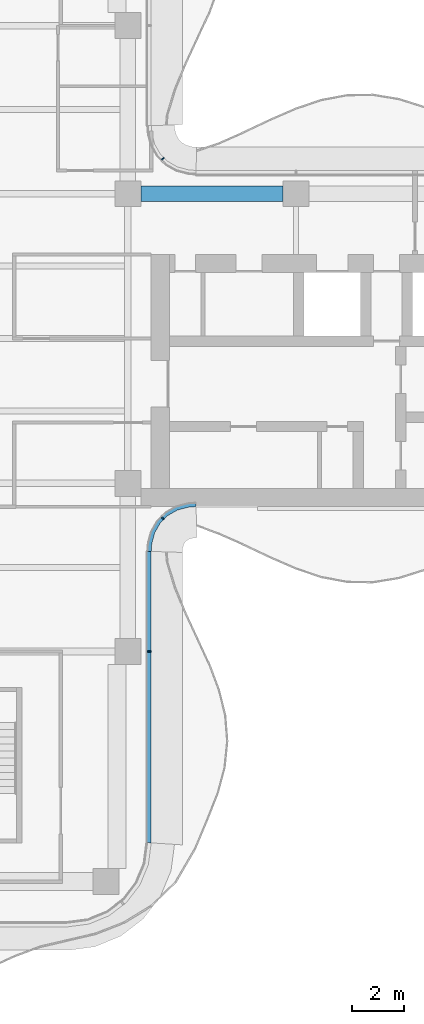
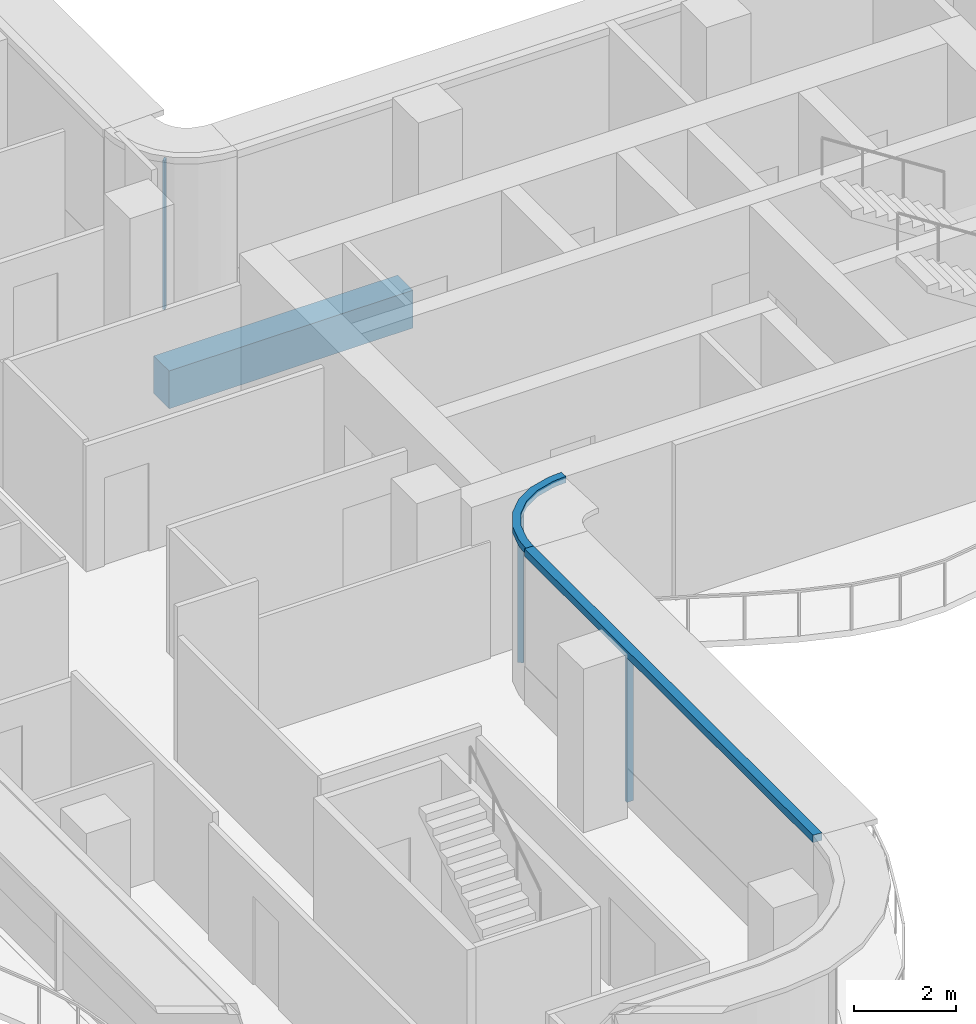
# One storey, part 5 of 15: 5 members, 1 beam, 3 elements without a shape of their own.
"""IFC4 building model written with IfcOpenShell, lengths in metres."""

from ifc_helpers import new_model, si_unit, direction, frame, origin, origin_2d, place, context, subcontext, project, spatial, polyline, rectangle, outline, extrude, source, transform, mapped, material, layer, layer_set, material_profile, profile_set, type_object, element, aggregate, save


model = new_model("IFC4")

# Units and contexts
model_context = context("Model", 3, precision=1e-05, world=origin(), true_north=direction((0.0, 1.0)))
body_context = subcontext(model_context, "Body", "Model", "MODEL_VIEW")
ifc_project = project(units=[si_unit("LENGTHUNIT", "METRE"), si_unit("AREAUNIT", "SQUARE_METRE"), si_unit("VOLUMEUNIT", "CUBIC_METRE"), si_unit("PLANEANGLEUNIT", "RADIAN"), si_unit("MASSUNIT", "GRAM", prefix="KILO")], contexts=[model_context])

# Site, building, storey
site_placement = place(None, origin())
site = spatial("IfcSite", under=ifc_project, at=site_placement, CompositionType="ELEMENT")
building_placement = place(site_placement, origin())
building = spatial("IfcBuilding", under=site, at=building_placement, Name="Trellis Farm Tower", CompositionType="ELEMENT")
storey_placement = place(building_placement, frame((0.0, 0.0, 287.199951171875)))
storey = spatial("IfcBuildingStorey", under=building, at=storey_placement, Name="L64", CompositionType="ELEMENT", Elevation=287.199951171875)

# Beam
ifc_material_1 = material(Name="Concrete C60/75", Category="concrete")
ifc_material_profile_1 = material_profile(ifc_material_1, rectangle(XDim=0.60009765625, YDim=0.89990234375, at=origin_2d()), Name="RC spandrel beam 600x900 C60/75")
ifc_profile_set_1 = profile_set([ifc_material_profile_1], Name="Concrete C60/75")
beam_type = type_object("IfcBeamType", Name="RC spandrel beam 600x900 C60/75", PredefinedType="SPANDREL", material=ifc_profile_set_1)
shared_shape_1 = source(origin(), body_context, "Body", "SweptSolid", [
    extrude(rectangle(XDim=0.60009765625, YDim=0.89990234375, at=origin_2d()), origin(), (0.0, 0.0, 1.0), 5.5),
])
beam_placement = place(storey_placement, frame((6.10009765625, 5.60009765625, -0.64990234375), z_axis=(1.0, 0.0, 0.0), x_axis=(0.0, 1.0, 0.0)))
element("IfcBeam", 1, at=beam_placement, inside=storey, type_object=beam_type, Name="Girder", PredefinedType="SPANDREL", context=body_context, shape_type="MappedRepresentation", body=[
    mapped(shared_shape_1, transform((0.0, 0.0, 0.0))),
])

# Curtain wall, member
ifc_material_2 = material(Name="Aluminium and glass curtain wall", Category="aluminium")
ifc_layer_1 = layer(ifc_material_2, 0.166015625)
ifc_layer_set_1 = layer_set([ifc_layer_1], Name="WINTER GARDEN CURTAIN WALL CW3")
curtain_wall_type_1 = type_object("IfcCurtainWallType", Name="WINTER GARDEN CURTAIN WALL CW3", PredefinedType="NOTDEFINED", material=ifc_layer_set_1)
placement = place(storey_placement, origin())
curtain_wall_1 = element("IfcCurtainWall", 2, at=placement, inside=storey, type_object=curtain_wall_type_1, Name="CW3 002", PredefinedType="NOTDEFINED")
ifc_material_3 = material(Name="Aluminium extrusion 6063-T6", Category="aluminium")
ifc_layer_2 = layer(ifc_material_3, 0.169921875)
ifc_layer_set_2 = layer_set([ifc_layer_2], Name="Aluminium extrusion 6063-T6")
member_type_1 = type_object("IfcMemberType", Name="CW3 TRANSOM 170x150", PredefinedType="USERDEFINED", material=ifc_layer_set_2)
shared_shape_2 = source(origin(), body_context, "Body", "SweptSolid", [
    extrude(outline(polyline([(6.5, -8.2314453125), (6.513916015625, -8.01953125), (6.527587890625, -7.91552734375), (6.63671875, -7.508544921875), (6.846923828125, -7.144287109375), (7.144287109375, -6.846923828125), (7.508544921875, -6.63671875), (7.91552734375, -6.527587890625), (8.01953125, -6.513916015625), (8.2314453125, -6.5), (8.225830078125, -6.330078125), (8.0029296875, -6.3447265625), (7.88232421875, -6.360595703125), (7.44287109375, -6.478271484375), (7.0400390625, -6.7109375), (6.7109375, -7.0400390625), (6.478271484375, -7.44287109375), (6.360595703125, -7.88232421875), (6.3447265625, -8.0029296875), (6.330078125, -8.225830078125), (6.5, -8.2314453125)])), origin(), (0.0, 0.0, 1.0), 0.14990234375),
])
member_1_placement = place(storey_placement, frame((0.0, 0.0, 3.550048828125)))
member_1 = element("IfcMember", 3, at=member_1_placement, type_object=member_type_1, Name="TR3 002", ObjectType="TRANSOM", PredefinedType="USERDEFINED", context=body_context, shape_type="MappedRepresentation", body=[
    mapped(shared_shape_2, transform((0.0, 0.0, 0.0))),
])

ifc_layer_3 = layer(ifc_material_2, 0.18994140625)
ifc_layer_set_3 = layer_set([ifc_layer_3], Name="RIBBON CURTAIN WALL CW1")
curtain_wall_type_2 = type_object("IfcCurtainWallType", Name="RIBBON CURTAIN WALL CW1", PredefinedType="NOTDEFINED", material=ifc_layer_set_3)
curtain_wall_2 = element("IfcCurtainWall", 4, at=placement, inside=storey, type_object=curtain_wall_type_2, Name="CW1 004", PredefinedType="NOTDEFINED")
ifc_material_profile_2 = material_profile(ifc_material_3, rectangle(XDim=0.06005859375, YDim=0.14990234375, at=origin_2d()), Name="MULLION 60x150")
ifc_profile_set_2 = profile_set([ifc_material_profile_2], Name="Aluminium extrusion 6063-T6")
member_type_2 = type_object("IfcMemberType", Name="CW1 MULLION 60x150", PredefinedType="MULLION", material=ifc_profile_set_2)
shared_shape_3 = source(origin(), body_context, "Body", "SweptSolid", [
    extrude(rectangle(XDim=0.06005859375, YDim=0.14990234375, at=origin_2d()), origin(), (0.0, 0.0, 1.0), 3.52001953125),
])
member_2_placement = place(storey_placement, frame((6.425048828125, -12.10009765625, 0.0), z_axis=(0.0, 0.0, 1.0), x_axis=(0.0, 1.0, 0.0)))
member_2 = element("IfcMember", 5, at=member_2_placement, type_object=member_type_2, Name="MU1 004-01", PredefinedType="MULLION", context=body_context, shape_type="MappedRepresentation", body=[
    mapped(shared_shape_3, transform((0.0, 0.0, 0.0))),
])

# Member
ifc_material_profile_3 = material_profile(ifc_material_3, rectangle(XDim=0.050048828125, YDim=0.1201171875, at=origin_2d()), Name="MULLION 50x120")
ifc_profile_set_3 = profile_set([ifc_material_profile_3], Name="Aluminium extrusion 6063-T6")
member_type_3 = type_object("IfcMemberType", Name="CW3 MULLION 50x120", PredefinedType="MULLION", material=ifc_profile_set_3)
shared_shape_4 = source(origin(), body_context, "Body", "SweptSolid", [
    extrude(rectangle(XDim=0.050048828125, YDim=0.1201171875, at=origin_2d()), origin(), (0.0, 0.0, 1.0), 3.550048828125),
])
member_3_placement = place(storey_placement, frame((6.953125, -6.953125, 0.0), z_axis=(0.0, 0.0, 1.0), x_axis=(0.707106781187, 0.707106781187, 0.0)))
member_3 = element("IfcMember", 6, at=member_3_placement, type_object=member_type_3, Name="MU3 002-01", PredefinedType="MULLION", context=body_context, shape_type="MappedRepresentation", body=[
    mapped(shared_shape_4, transform((0.0, 0.0, 0.0))),
])

aggregate(curtain_wall_1, [member_3, member_1])

# Curtain wall, member
curtain_wall_3 = element("IfcCurtainWall", 7, at=placement, inside=storey, type_object=curtain_wall_type_1, Name="CW3 003", PredefinedType="NOTDEFINED")
member_4_placement = place(storey_placement, frame((6.953125, 6.953125, 0.0), z_axis=(0.0, 0.0, 1.0), x_axis=(-0.707106781187, 0.707106781187, 0.0)))
member_4 = element("IfcMember", 8, at=member_4_placement, type_object=member_type_3, Name="MU3 003-01", PredefinedType="MULLION", context=body_context, shape_type="MappedRepresentation", body=[
    mapped(shared_shape_4, transform((0.0, 0.0, 0.0))),
])
aggregate(curtain_wall_3, [member_4])

# Member
ifc_layer_4 = layer(ifc_material_3, 0.199951171875)
ifc_layer_set_4 = layer_set([ifc_layer_4], Name="Aluminium extrusion 6063-T6")
member_type_4 = type_object("IfcMemberType", Name="CW1 TRANSOM 200x180", PredefinedType="USERDEFINED", material=ifc_layer_set_4)
shared_shape_5 = source(origin(), body_context, "Body", "SweptSolid", [
    extrude(outline(polyline([(6.5, -19.5), (6.5, -8.2314453125), (6.300048828125, -8.224853515625), (6.300048828125, -19.48681640625), (6.5, -19.5)])), origin(), (0.0, 0.0, 1.0), 0.179931640625),
])
member_5_placement = place(storey_placement, frame((0.0, 0.0, 3.52001953125)))
member_5 = element("IfcMember", 9, at=member_5_placement, type_object=member_type_4, Name="TR1 004", ObjectType="TRANSOM", PredefinedType="USERDEFINED", context=body_context, shape_type="MappedRepresentation", body=[
    mapped(shared_shape_5, transform((0.0, 0.0, 0.0))),
])

aggregate(curtain_wall_2, [member_2, member_5])

save(model, "model.ifc")
